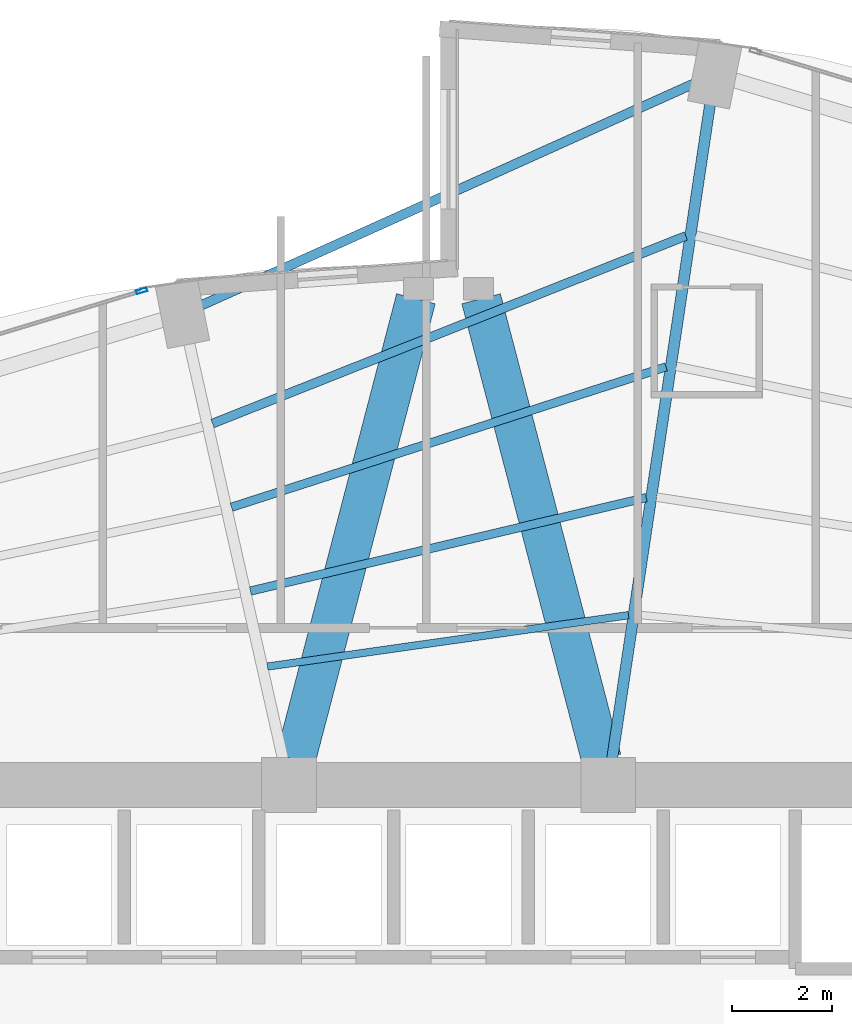
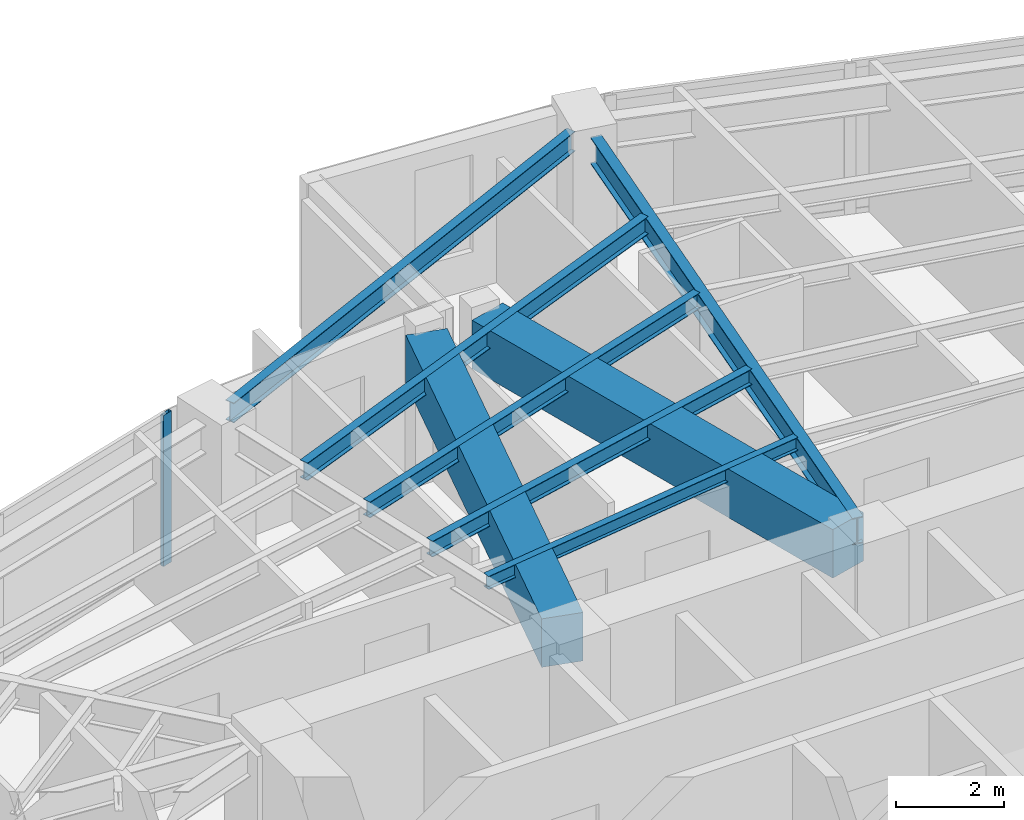
# One storey, part 15 of 24: 8 beams, 1 member, 1 element without a shape of its own.
"""IFC4 building model written with IfcOpenShell, lengths in metres."""

from ifc_helpers import new_model, si_unit, direction, frame, origin, origin_2d, place, context, subcontext, project, spatial, rectangle, hollow_rectangle, i_section, extrude, material, layer, layer_set, material_profile, profile_set, type_object, element, aggregate, save


model = new_model("IFC4")

# Units and contexts
model_context = context("Model", 3, precision=1e-05, world=origin(), true_north=direction((0.0, 1.0)))
body_context = subcontext(model_context, "Body", "Model", "MODEL_VIEW")
ifc_project = project(units=[si_unit("LENGTHUNIT", "METRE"), si_unit("AREAUNIT", "SQUARE_METRE"), si_unit("VOLUMEUNIT", "CUBIC_METRE"), si_unit("PLANEANGLEUNIT", "RADIAN"), si_unit("MASSUNIT", "GRAM", prefix="KILO")], contexts=[model_context])

# Site, building, storey
site_placement = place(None, origin())
site = spatial("IfcSite", under=ifc_project, at=site_placement, CompositionType="ELEMENT")
building_placement = place(site_placement, origin())
building = spatial("IfcBuilding", under=site, at=building_placement, Name="Lazwardi Medical Tower", CompositionType="ELEMENT")
storey_placement = place(building_placement, frame((0.0, 0.0, 54.384033203125)))
storey = spatial("IfcBuildingStorey", under=building, at=storey_placement, Name="L13", CompositionType="ELEMENT", Elevation=54.384033203125)

# Beams
ifc_material_1 = material(Name="Concrete C70/85", Category="concrete")
ifc_material_profile_1 = material_profile(ifc_material_1, rectangle(XDim=0.800048828125, YDim=1.10009765625, at=origin_2d()), Name="RC 800x1100")
ifc_profile_set_1 = profile_set([ifc_material_profile_1], Name="Concrete C70/85")
beam_type_1 = type_object("IfcBeamType", Name="BM-CB-RC1", PredefinedType="LINTEL", material=ifc_profile_set_1)
for number, where, z_axis, x_axis, name in (
    (1, (32.935302734375, 36.11767578125, 2.8779296875), (0.252819877511, 0.967513364009, 0.0), (-0.967513364009, 0.252819877511, 0.0), "Core coupling lintel CB-01 PL1 L13"),
    (2, (39.064697265625, 36.11767578125, 2.8779296875), (-0.252819877511, 0.967513364009, 0.0), (-0.967513364009, -0.252819877511, 0.0), "Core coupling lintel CB-01 PL2 L13"),
):
    element("IfcBeam", number, at=place(storey_placement, frame(where, z_axis=z_axis, x_axis=x_axis)), inside=storey, type_object=beam_type_1, Name=name, PredefinedType="LINTEL", context=body_context, shape_type="SweptSolid", body=[
        extrude(rectangle(XDim=0.800048828125, YDim=1.10009765625, at=origin_2d()), origin(), (0.0, 0.0, 1.0), 9.538818359375),
    ])
ifc_material_2 = material(Name="Steel S355", Category="steel")
ifc_material_profile_2 = material_profile(ifc_material_2, i_section(OverallWidth=0.219970703125, OverallDepth=0.60009765625, WebThickness=0.011962890625, FlangeThickness=0.01904296875, at=origin_2d()), Name="IPE 600")
ifc_profile_set_2 = profile_set([ifc_material_profile_2], Name="Steel S355")
beam_type_2 = type_object("IfcBeamType", Name="BM-RG-W1", PredefinedType="BEAM", material=ifc_profile_set_2)
beam_1_placement = place(storey_placement, frame((41.2451171875, 49.2705078125, 3.1279296875), z_axis=(-0.147944218183, -0.98899570692, 0.0), x_axis=(0.98899570692, -0.147944218183, 0.0)))
element("IfcBeam", 3, at=beam_1_placement, inside=storey, type_object=beam_type_2, Name="Radial girder RG-02 R08 L13", PredefinedType="BEAM", context=body_context, shape_type="SweptSolid", body=[
    extrude(i_section(OverallWidth=0.219970703125, OverallDepth=0.60009765625, WebThickness=0.011962890625, FlangeThickness=0.01904296875, at=origin_2d()), origin(), (0.0, 0.0, 1.0), 13.28759765625),
])
ifc_material_profile_3 = material_profile(ifc_material_2, i_section(OverallWidth=0.179931640625, OverallDepth=0.39990234375, WebThickness=0.008544921875, FlangeThickness=0.013427734375, at=origin_2d()), Name="IPE 400")
ifc_profile_set_3 = profile_set([ifc_material_profile_3], Name="Steel S355")
beam_type_3 = type_object("IfcBeamType", Name="BM-SJ-01", PredefinedType="JOIST", material=ifc_profile_set_3)
beam_2_placement = place(storey_placement, frame((40.754150390625, 46.603515625, 3.22802734375), z_axis=(-0.929663713752, -0.368409255222, 0.0), x_axis=(0.368409255222, -0.929663713752, 0.0)))
element("IfcBeam", 4, at=beam_2_placement, inside=storey, type_object=beam_type_3, Name="Secondary joist SJ-01 R1 B08 L13", PredefinedType="JOIST", context=body_context, shape_type="SweptSolid", body=[
    extrude(i_section(OverallWidth=0.179931640625, OverallDepth=0.39990234375, WebThickness=0.008544921875, FlangeThickness=0.013427734375, at=origin_2d()), origin(), (0.0, 0.0, 1.0), 10.2001953125),
])
ifc_material_profile_4 = material_profile(ifc_material_2, i_section(OverallWidth=0.169921875, OverallDepth=0.360107421875, WebThickness=0.008056640625, FlangeThickness=0.0126953125, at=origin_2d()), Name="IPE 360")
ifc_profile_set_4 = profile_set([ifc_material_profile_4], Name="Steel S355")
beam_type_4 = type_object("IfcBeamType", Name="BM-SJ-02", PredefinedType="JOIST", material=ifc_profile_set_4)
beam_3_placement = place(storey_placement, frame((40.35888671875, 43.981689453125, 3.248046875), z_axis=(-0.951558895485, -0.307466532199, 0.0), x_axis=(0.307466532199, -0.951558895485, 0.0)))
element("IfcBeam", 5, at=beam_3_placement, inside=storey, type_object=beam_type_4, Name="Secondary joist SJ-02 R2 B08 L13", PredefinedType="JOIST", context=body_context, shape_type="SweptSolid", body=[
    extrude(i_section(OverallWidth=0.169921875, OverallDepth=0.360107421875, WebThickness=0.008056640625, FlangeThickness=0.0126953125, at=origin_2d()), origin(), (0.0, 0.0, 1.0), 9.1513671875),
])
beam_4_placement = place(storey_placement, frame((39.96337890625, 41.361572265625, 3.248046875), z_axis=(-0.973240904247, -0.229787167397, 0.0), x_axis=(0.229787167397, -0.973240904247, 0.0)))
element("IfcBeam", 6, at=beam_4_placement, inside=storey, type_object=beam_type_4, Name="Secondary joist SJ-02 R3 B08 L13", PredefinedType="JOIST", context=body_context, shape_type="SweptSolid", body=[
    extrude(i_section(OverallWidth=0.169921875, OverallDepth=0.360107421875, WebThickness=0.008056640625, FlangeThickness=0.0126953125, at=origin_2d()), origin(), (0.0, 0.0, 1.0), 8.151123046875),
])
ifc_material_profile_5 = material_profile(ifc_material_2, i_section(OverallWidth=0.14990234375, OverallDepth=0.300048828125, WebThickness=0.007080078125, FlangeThickness=0.0107421875, at=origin_2d()), Name="IPE 300")
ifc_profile_set_5 = profile_set([ifc_material_profile_5], Name="Steel S355")
beam_type_5 = type_object("IfcBeamType", Name="BM-SJ-03", PredefinedType="JOIST", material=ifc_profile_set_5)
beam_5_placement = place(storey_placement, frame((39.607666015625, 39.00537109375, 3.278076171875), z_axis=(-0.99001552228, -0.140958382672, 0.0), x_axis=(0.140958382672, -0.99001552228, 0.0)))
element("IfcBeam", 7, at=beam_5_placement, inside=storey, type_object=beam_type_5, Name="Secondary joist SJ-03 R4 B08 L13", PredefinedType="JOIST", context=body_context, shape_type="SweptSolid", body=[
    extrude(i_section(OverallWidth=0.14990234375, OverallDepth=0.300048828125, WebThickness=0.007080078125, FlangeThickness=0.0107421875, at=origin_2d()), origin(), (0.0, 0.0, 1.0), 7.30908203125),
])
ifc_material_profile_6 = material_profile(ifc_material_2, i_section(OverallWidth=0.18994140625, OverallDepth=0.449951171875, WebThickness=0.009521484375, FlangeThickness=0.0146484375, at=origin_2d()), Name="IPE 450")
ifc_profile_set_6 = profile_set([ifc_material_profile_6], Name="Steel S355")
beam_type_6 = type_object("IfcBeamType", Name="BM-SP-01", PredefinedType="SPANDREL", material=ifc_profile_set_6)
beam_6_placement = place(storey_placement, frame((40.94775390625, 49.671630859375, 3.202880859375), z_axis=(-0.91184908894, -0.410525564368, 0.0), x_axis=(0.410525564368, -0.91184908894, 0.0)))
element("IfcBeam", 8, at=beam_6_placement, inside=storey, type_object=beam_type_6, Name="Spandrel beam SP-01 B08 L13", PredefinedType="SPANDREL", context=body_context, shape_type="SweptSolid", body=[
    extrude(i_section(OverallWidth=0.18994140625, OverallDepth=0.449951171875, WebThickness=0.009521484375, FlangeThickness=0.0146484375, at=origin_2d()), origin(), (0.0, 0.0, 1.0), 10.85205078125),
])

# Curtain wall, member
ifc_material_3 = material(Name="Anodised bronze aluminium and solar control glazing", Category="aluminium")
ifc_layer = layer(ifc_material_3, 0.199951171875)
ifc_layer_set = layer_set([ifc_layer], Name="Anodised bronze aluminium and solar control glazing")
curtain_wall_type = type_object("IfcCurtainWallType", Name="CW-SYS-02", PredefinedType="NOTDEFINED", material=ifc_layer_set)
curtain_wall_placement = place(storey_placement, origin())
curtain_wall = element("IfcCurtainWall", 9, at=curtain_wall_placement, inside=storey, type_object=curtain_wall_type, Name="L13 Unitised bronze curtain wall CW-02", PredefinedType="NOTDEFINED")
ifc_material_4 = material(Name="Anodised bronze aluminium", Category="aluminium")
ifc_material_profile_7 = material_profile(ifc_material_4, hollow_rectangle(XDim=0.074951171875, YDim=0.219970703125, WallThickness=0.00390625, at=origin_2d()), Name="ALU-MULLION 220x75x4")
ifc_profile_set_7 = profile_set([ifc_material_profile_7], Name="Anodised bronze aluminium")
member_type = type_object("IfcMemberType", Name="CW-MUL-01", PredefinedType="MULLION", material=ifc_profile_set_7)
member_placement = place(storey_placement, frame((29.85205078125, 45.503662109375, 0.0), z_axis=(0.0, 0.0, 1.0), x_axis=(0.2898956909, -0.957058247129, 0.0)))
member = element("IfcMember", 10, at=member_placement, type_object=member_type, Name="CW-02 mullion 1", PredefinedType="MULLION", context=body_context, shape_type="SweptSolid", body=[
    extrude(hollow_rectangle(XDim=0.074951171875, YDim=0.219970703125, WallThickness=0.00390625, at=origin_2d()), origin(), (0.0, 0.0, 1.0), 3.427978515625),
])
aggregate(curtain_wall, [member])

save(model, "model.ifc")
